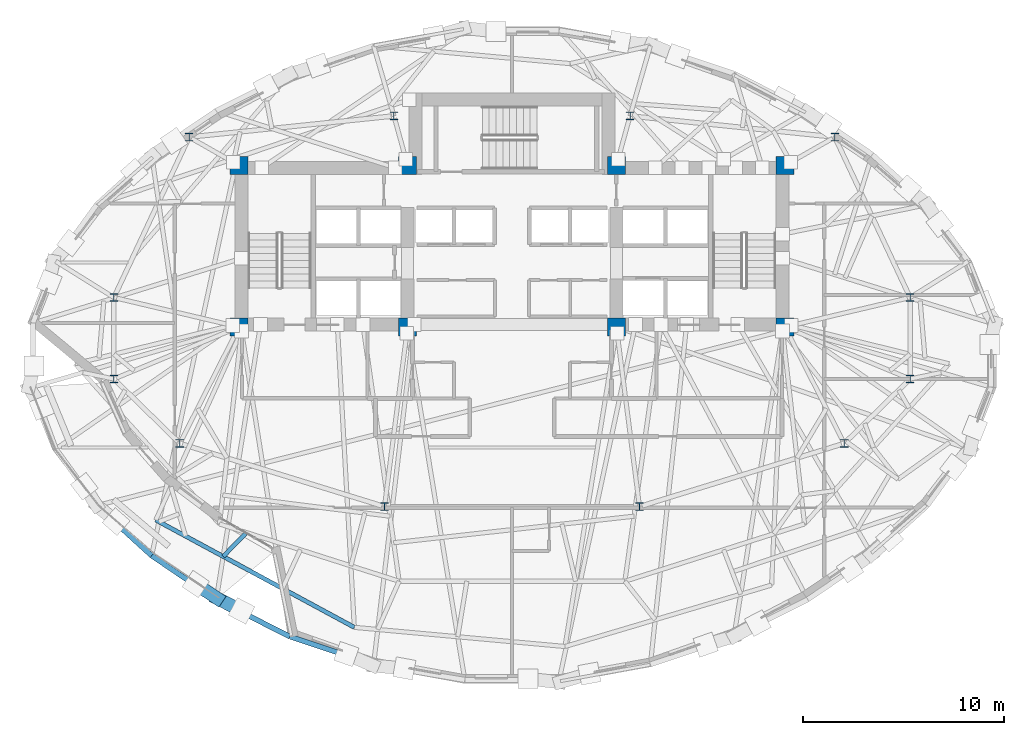
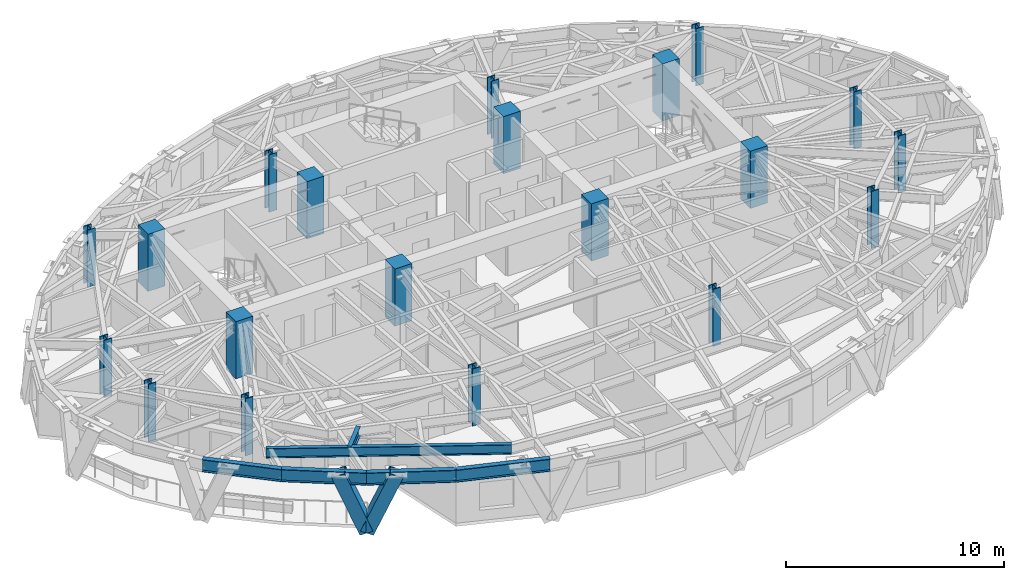
# One storey, part 1 of 15: 20 columns, 6 beams, 2 members.
"""IFC4 building model written with IfcOpenShell, lengths in metres."""

from ifc_helpers import new_model, si_unit, direction, frame, origin, origin_2d, place, context, subcontext, project, spatial, rectangle, hollow_rectangle, i_section, extrude, material, material_profile, profile_set, type_object, element, save


model = new_model("IFC4")

# Units and contexts
model_context = context("Model", 3, precision=1e-05, world=origin(), true_north=direction((0.0, 1.0)))
body_context = subcontext(model_context, "Body", "Model", "MODEL_VIEW")
ifc_project = project(units=[si_unit("LENGTHUNIT", "METRE"), si_unit("AREAUNIT", "SQUARE_METRE"), si_unit("VOLUMEUNIT", "CUBIC_METRE"), si_unit("PLANEANGLEUNIT", "RADIAN"), si_unit("MASSUNIT", "GRAM", prefix="KILO")], contexts=[model_context])

# Site, building, storey
site_placement = place(None, origin())
site = spatial("IfcSite", under=ifc_project, at=site_placement, CompositionType="ELEMENT")
building_placement = place(site_placement, origin())
building = spatial("IfcBuilding", under=site, at=building_placement, Name="Keldmark Tower", CompositionType="ELEMENT")
storey_placement = place(building_placement, frame((0.0, 0.0, 195.0)))
storey = spatial("IfcBuildingStorey", under=building, at=storey_placement, Name="L54", CompositionType="ELEMENT", Elevation=195.0)

# Columns
ifc_material_1 = material(Name="Concrete C50/60", Category="concrete")
ifc_material_profile_1 = material_profile(ifc_material_1, rectangle(XDim=0.89990234375, YDim=0.89990234375, at=origin_2d()), Name="RC900X900")
ifc_profile_set_1 = profile_set([ifc_material_profile_1], Name="Concrete C50/60")
column_type_1 = type_object("IfcColumnType", Name="Core Boundary Column RC900", PredefinedType="COLUMN", material=ifc_profile_set_1)
for number, where, z_axis, x_axis, name in (
    (1, (-13.60009765625, 1.39990234375, 0.0), (0.0, 0.0, 1.0), (1.0, 0.0, 0.0), "L54 Core Boundary Column CC-W1"),
    (2, (-13.60009765625, 9.449951171875, 0.0), (0.0, 0.0, 1.0), (1.0, 0.0, 0.0), "L54 Core Boundary Column CC-W2"),
    (3, (-5.199951171875, 1.39990234375, 0.0), (0.0, 0.0, 1.0), (1.0, 0.0, 0.0), "L54 Core Boundary Column CC-W3"),
    (4, (-5.199951171875, 9.449951171875, 0.0), (0.0, 0.0, 1.0), (1.0, 0.0, 0.0), "L54 Core Boundary Column CC-W4"),
    (5, (5.199951171875, 1.39990234375, 0.0), (0.0, 0.0, 1.0), (1.0, 0.0, 0.0), "L54 Core Boundary Column CC-E1"),
    (6, (5.199951171875, 9.449951171875, 0.0), (0.0, 0.0, 1.0), (1.0, 0.0, 0.0), "L54 Core Boundary Column CC-E2"),
    (7, (13.60009765625, 1.39990234375, 0.0), (0.0, 0.0, 1.0), (1.0, 0.0, 0.0), "L54 Core Boundary Column CC-E3"),
    (8, (13.60009765625, 9.449951171875, 0.0), (0.0, 0.0, 1.0), (1.0, 0.0, 0.0), "L54 Core Boundary Column CC-E4"),
):
    element("IfcColumn", number, at=place(storey_placement, frame(where, z_axis=z_axis, x_axis=x_axis)), inside=storey, type_object=column_type_1, Name=name, PredefinedType="COLUMN", context=body_context, shape_type="SweptSolid", body=[
        extrude(rectangle(XDim=0.89990234375, YDim=0.89990234375, at=origin_2d()), origin(), (0.0, 0.0, 1.0), 3.199951171875),
    ])
ifc_material_2 = material(Name="Steel ASTM A992 Grade 50", Category="steel")
ifc_material_profile_2 = material_profile(ifc_material_2, i_section(OverallWidth=0.404052734375, OverallDepth=0.406982421875, WebThickness=0.027099609375, FlangeThickness=0.043701171875, at=origin_2d()), Name="W14X233")
ifc_profile_set_2 = profile_set([ifc_material_profile_2], Name="Steel ASTM A992 Grade 50")
column_type_2 = type_object("IfcColumnType", Name="Tower Gravity Column W14X233", PredefinedType="COLUMN", material=ifc_profile_set_2)
for number, where, z_axis, x_axis, name in (
    (9, (19.828369140625, 2.869140625, 0.0), (0.0, 0.0, 1.0), (1.0, 0.0, 0.0), "L54 Tower Gravity Column TC-E1"),
    (10, (16.08154296875, 10.861083984375, 0.0), (0.0, 0.0, 1.0), (1.0, 0.0, 0.0), "L54 Tower Gravity Column TC-E4"),
    (11, (5.880126953125, 11.915283203125, 0.0), (0.0, 0.0, 1.0), (1.0, 0.0, 0.0), "L54 Tower Gravity Column TC-N2"),
    (12, (-5.880126953125, 11.915283203125, 0.0), (0.0, 0.0, 1.0), (1.0, 0.0, 0.0), "L54 Tower Gravity Column TC-N1"),
    (13, (-16.08154296875, 10.861083984375, 0.0), (0.0, 0.0, 1.0), (1.0, 0.0, 0.0), "L54 Tower Gravity Column TC-W4"),
    (14, (-19.828369140625, 2.869140625, 0.0), (0.0, 0.0, 1.0), (1.0, 0.0, 0.0), "L54 Tower Gravity Column TC-W1"),
    (15, (-19.828369140625, -1.189208984375, 0.0), (0.0, 0.0, 1.0), (1.0, 0.0, 0.0), "L54 Tower Gravity Column TC-W5"),
    (16, (-16.546630859375, -4.3984375, 0.0), (0.0, 0.0, 1.0), (1.0, 0.0, 0.0), "L54 Tower Gravity Column TC-W2"),
    (17, (-6.351318359375, -7.546142578125, 0.0), (0.0, 0.0, 1.0), (1.0, 0.0, 0.0), "L54 Tower Gravity Column TC-W3"),
    (18, (6.351318359375, -7.546142578125, 0.0), (0.0, 0.0, 1.0), (1.0, 0.0, 0.0), "L54 Tower Gravity Column TC-E3"),
    (19, (16.546630859375, -4.3984375, 0.0), (0.0, 0.0, 1.0), (1.0, 0.0, 0.0), "L54 Tower Gravity Column TC-E2"),
    (20, (19.828369140625, -1.189208984375, 0.0), (0.0, 0.0, 1.0), (1.0, 0.0, 0.0), "L54 Tower Gravity Column TC-E5"),
):
    element("IfcColumn", number, at=place(storey_placement, frame(where, z_axis=z_axis, x_axis=x_axis)), inside=storey, type_object=column_type_2, Name=name, PredefinedType="COLUMN", context=body_context, shape_type="SweptSolid", body=[
        extrude(i_section(OverallWidth=0.404052734375, OverallDepth=0.406982421875, WebThickness=0.027099609375, FlangeThickness=0.043701171875, at=origin_2d()), origin(), (0.0, 0.0, 1.0), 3.199951171875),
    ])

# Members
ifc_material_3 = material(Name="Steel ASTM A572 Grade 50", Category="steel")
ifc_material_profile_3 = material_profile(ifc_material_3, hollow_rectangle(XDim=0.64990234375, YDim=0.64990234375, WallThickness=0.0400390625, at=origin_2d()), Name="BOX650X650X40")
ifc_profile_set_3 = profile_set([ifc_material_profile_3], Name="Steel ASTM A572 Grade 50")
member_type = type_object("IfcMemberType", Name="Diagrid Zone 3 Brace BOX650X650X40", PredefinedType="BRACE", material=ifc_profile_set_3)
member_1_placement = place(storey_placement, frame((-14.67236328125, -12.12109375, -0.260009765625), z_axis=(-0.317507772767, 0.209909504138, 0.924730671225), x_axis=(-0.551490578691, -0.83418112039, 0.0)))
element("IfcMember", 21, at=member_1_placement, inside=storey, type_object=member_type, Name="L54 Perimeter Diagrid Brace 10B", PredefinedType="BRACE", context=body_context, shape_type="SweptSolid", body=[
    extrude(hollow_rectangle(XDim=0.64990234375, YDim=0.64990234375, WallThickness=0.0400390625, at=origin_2d()), origin(), (0.0, 0.0, 1.0), 3.417236328125),
])
member_2_placement = place(storey_placement, frame((-14.6806640625, -12.11279296875, -0.260009765625), z_axis=(0.352400489935, -0.182334807733, 0.91791498113), x_axis=(0.459539615462, 0.888157273134, 0.0)))
element("IfcMember", 22, at=member_2_placement, inside=storey, type_object=member_type, Name="L54 Perimeter Diagrid Brace 11A", PredefinedType="BRACE", context=body_context, shape_type="SweptSolid", body=[
    extrude(hollow_rectangle(XDim=0.64990234375, YDim=0.64990234375, WallThickness=0.0400390625, at=origin_2d()), origin(), (0.0, 0.0, 1.0), 3.4423828125),
])

# Beams
ifc_material_4 = material(Name="Steel ASTM A992 Grade 50", Category="steel")
ifc_material_profile_4 = material_profile(ifc_material_4, i_section(OverallWidth=0.2099609375, OverallDepth=0.537109375, WebThickness=0.010986328125, FlangeThickness=0.017333984375, at=origin_2d()), Name="W21X68")
ifc_profile_set_4 = profile_set([ifc_material_profile_4], Name="Steel ASTM A992 Grade 50")
beam_type_1 = type_object("IfcBeamType", Name="Radial Tie Girder W21X68", PredefinedType="BEAM", material=ifc_profile_set_4)
beam_1_placement = place(storey_placement, frame((-17.7421875, -8.214111328125, 2.75146484375), z_axis=(0.879702830388, -0.4755238482, 0.0), x_axis=(0.4755238482, 0.879702830388, 0.0)))
element("IfcBeam", 23, at=beam_1_placement, inside=storey, type_object=beam_type_1, Name="L54 Perimeter Collector Ring Beam CRG2-M08", PredefinedType="BEAM", context=body_context, shape_type="SweptSolid", body=[
    extrude(i_section(OverallWidth=0.2099609375, OverallDepth=0.537109375, WebThickness=0.010986328125, FlangeThickness=0.017333984375, at=origin_2d()), origin(), (0.0, 0.0, 1.0), 11.2412109375),
])
beam_2_placement = place(storey_placement, frame((-13.228271484375, -8.837890625, 2.75146484375), z_axis=(-0.697187559677, -0.71688876866, 0.0), x_axis=(0.71688876866, -0.697187559677, 0.0)))
element("IfcBeam", 24, at=beam_2_placement, inside=storey, type_object=beam_type_1, Name="L54 Framing Pin Header PH-026", PredefinedType="BEAM", context=body_context, shape_type="SweptSolid", body=[
    extrude(i_section(OverallWidth=0.2099609375, OverallDepth=0.537109375, WebThickness=0.010986328125, FlangeThickness=0.017333984375, at=origin_2d()), origin(), (0.0, 0.0, 1.0), 1.66064453125),
])
ifc_material_5 = material(Name="Steel ASTM A992 Grade 50", Category="steel")
ifc_material_profile_5 = material_profile(ifc_material_5, i_section(OverallWidth=0.256103515625, OverallDepth=0.693115234375, WebThickness=0.014404296875, FlangeThickness=0.023681640625, at=origin_2d()), Name="W27X114")
ifc_profile_set_5 = profile_set([ifc_material_profile_5], Name="Steel ASTM A992 Grade 50")
beam_type_2 = type_object("IfcBeamType", Name="Spandrel Ring Beam W27X114", PredefinedType="SPANDREL", material=ifc_profile_set_5)
beam_3_placement = place(storey_placement, frame((-20.682861328125, -7.4951171875, 2.673583984375), z_axis=(0.738992571182, -0.67371357396, 0.0), x_axis=(0.67371357396, 0.738992571182, 0.0)))
element("IfcBeam", 25, at=beam_3_placement, inside=storey, type_object=beam_type_2, Name="L54 Perimeter Spandrel Ring Beam SRB-19", PredefinedType="SPANDREL", context=body_context, shape_type="SweptSolid", body=[
    extrude(i_section(OverallWidth=0.256103515625, OverallDepth=0.693115234375, WebThickness=0.014404296875, FlangeThickness=0.023681640625, at=origin_2d()), origin(), (0.0, 0.0, 1.0), 3.69873046875),
])
beam_4_placement = place(storey_placement, frame((-17.949462890625, -9.987060546875, 2.673583984375), z_axis=(0.82771739458, -0.56114518149, 0.0), x_axis=(0.56114518149, 0.82771739458, 0.0)))
element("IfcBeam", 26, at=beam_4_placement, inside=storey, type_object=beam_type_2, Name="L54 Perimeter Spandrel Ring Beam SRB-20", PredefinedType="SPANDREL", context=body_context, shape_type="SweptSolid", body=[
    extrude(i_section(OverallWidth=0.256103515625, OverallDepth=0.693115234375, WebThickness=0.014404296875, FlangeThickness=0.023681640625, at=origin_2d()), origin(), (0.0, 0.0, 1.0), 3.888671875),
])
beam_5_placement = place(storey_placement, frame((-14.730712890625, -12.169189453125, 2.673583984375), z_axis=(0.892939479035, -0.450176728387, 0.0), x_axis=(0.450176728387, 0.892939479035, 0.0)))
element("IfcBeam", 27, at=beam_5_placement, inside=storey, type_object=beam_type_2, Name="L54 Perimeter Spandrel Ring Beam SRB-21", PredefinedType="SPANDREL", context=body_context, shape_type="SweptSolid", body=[
    extrude(i_section(OverallWidth=0.256103515625, OverallDepth=0.693115234375, WebThickness=0.014404296875, FlangeThickness=0.023681640625, at=origin_2d()), origin(), (0.0, 0.0, 1.0), 4.1162109375),
])
beam_6_placement = place(storey_placement, frame((-11.05517578125, -14.022216796875, 2.673583984375), z_axis=(0.948844608833, -0.315743421608, 0.0), x_axis=(0.315743421608, 0.948844608833, 0.0)))
element("IfcBeam", 28, at=beam_6_placement, inside=storey, type_object=beam_type_2, Name="L54 Perimeter Spandrel Ring Beam SRB-22", PredefinedType="SPANDREL", context=body_context, shape_type="SweptSolid", body=[
    extrude(i_section(OverallWidth=0.256103515625, OverallDepth=0.693115234375, WebThickness=0.014404296875, FlangeThickness=0.023681640625, at=origin_2d()), origin(), (0.0, 0.0, 1.0), 4.3857421875),
])

save(model, "model.ifc")
